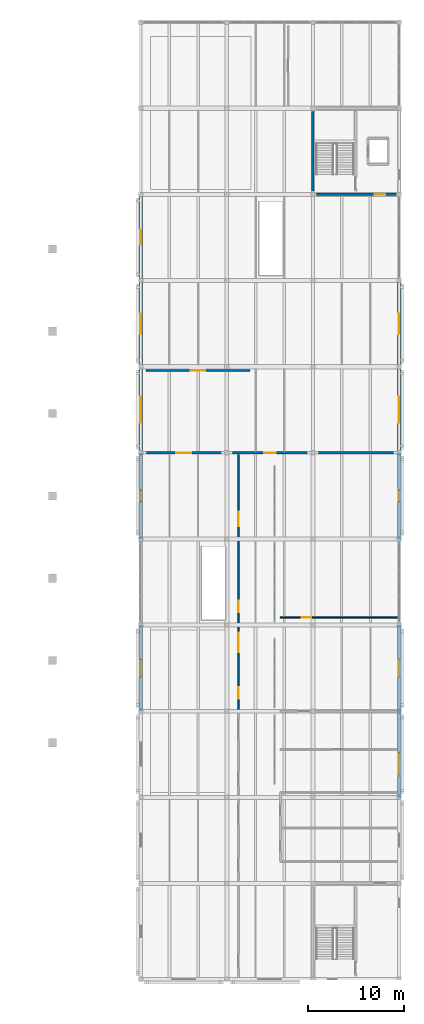
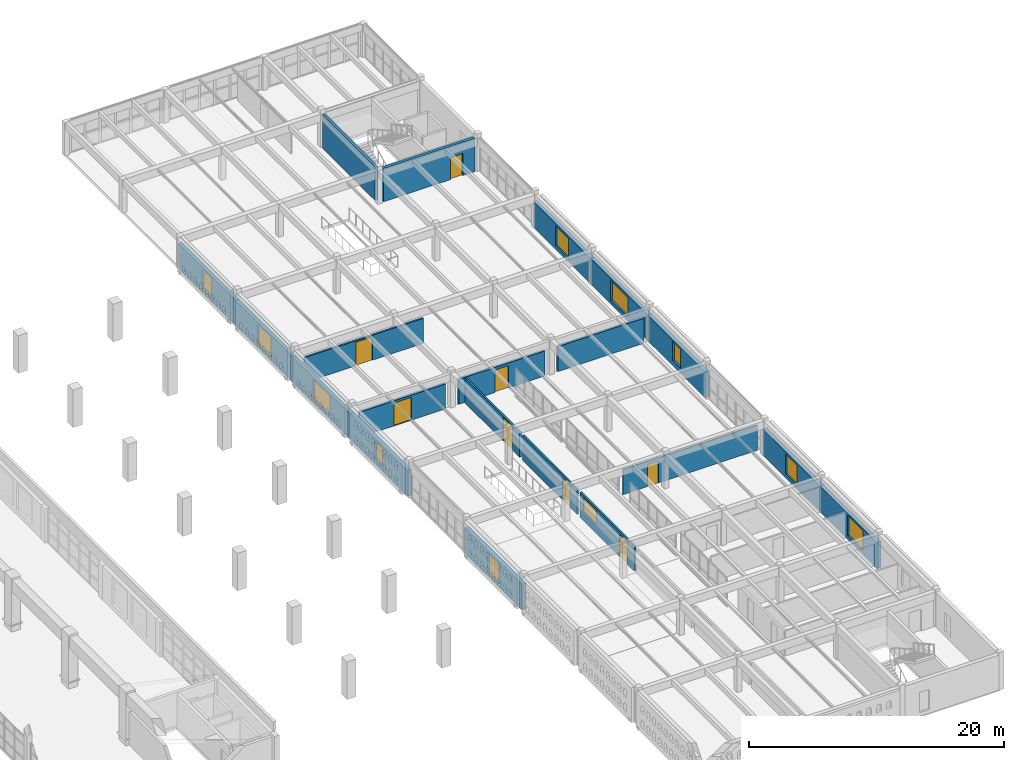
# One storey, part 69 of 80: 20 walls, 11 windows, 8 doors, 19 openings.
"""IFC4 building model written with IfcOpenShell, lengths in metres."""

from ifc_helpers import new_model, si_unit, direction, frame, frame_2d, origin, place, context, subcontext, project, spatial, rectangle, extrude, material, layer, layer_set, type_object, element, fill, save


model = new_model("IFC4")

# Units and contexts
model_context = context("Model", 3, precision=1e-05, world=origin(), true_north=direction((0.0, 1.0)))
body_context = subcontext(model_context, "Body", "Model", "MODEL_VIEW")
ifc_project = project(units=[si_unit("LENGTHUNIT", "METRE"), si_unit("AREAUNIT", "SQUARE_METRE"), si_unit("VOLUMEUNIT", "CUBIC_METRE"), si_unit("PLANEANGLEUNIT", "RADIAN"), si_unit("MASSUNIT", "GRAM", prefix="KILO")], contexts=[model_context])

# Site, building, storey
site_placement = place(None, origin())
site = spatial("IfcSite", under=ifc_project, at=site_placement, CompositionType="ELEMENT")
building_placement = place(site_placement, origin())
building = spatial("IfcBuilding", under=site, at=building_placement, Name="Ornek Quay Market", CompositionType="ELEMENT")
storey_placement = place(building_placement, frame((0.0, 0.0, 8.39990234375)))
storey = spatial("IfcBuildingStorey", under=building, at=storey_placement, Name="L02", CompositionType="ELEMENT", Elevation=8.39990234375)

# Wall
ifc_material_1 = material(Name="Concrete C40/50", Category="concrete")
ifc_layer_1 = layer(ifc_material_1, 0.260009765625, Name="Concrete C40/50", Category="concrete")
ifc_layer_set_1 = layer_set([ifc_layer_1], Name="Concrete C40/50")
wall_type_1 = type_object("IfcWallType", Name="WL-CORE-260", PredefinedType="SHEAR", material=ifc_layer_set_1)
wall_1_placement = place(storey_placement, frame((171.0, 92.35009765625, 0.0), z_axis=(0.0, 0.0, 1.0), x_axis=(0.0, 1.0, 0.0)))
element("IfcWall", 1, at=wall_1_placement, inside=storey, type_object=wall_type_1, Name="Interior wall W-CORE2-139", PredefinedType="SHEAR", context=body_context, shape_type="SweptSolid", body=[
    extrude(rectangle(XDim=8.2998046875, YDim=0.260009765625, at=frame_2d((4.14990234375, 0.0))), origin(), (0.0, 0.0, 1.0), 3.2001953125),
])

# Wall, opening, door
wall_2_placement = place(storey_placement, frame((171.35009765625, 92.0, 0.0), z_axis=(0.0, 0.0, 1.0), x_axis=(1.0, 0.0, 0.0)))
wall_2 = element("IfcWall", 2, at=wall_2_placement, inside=storey, type_object=wall_type_1, Name="Interior wall W-CORE2-140", PredefinedType="SHEAR", context=body_context, shape_type="SweptSolid", body=[
    extrude(rectangle(XDim=8.2998046875, YDim=0.260009765625, at=frame_2d((4.14990234375, 0.0))), origin(), (0.0, 0.0, 1.0), 3.2001953125),
])
opening_1_placement = place(wall_2_placement, frame((6.10009765625, 0.0, 0.0)))
opening_1 = element("IfcOpeningElement", 3, at=opening_1_placement, cuts=wall_2, Name="Opening FD-04-053", PredefinedType="OPENING", context=body_context, shape_type="SweptSolid", body=[
    extrude(rectangle(XDim=1.10009765625, YDim=2.10009765625, at=frame_2d((0.550048828125, 1.050048828125))), frame((0.0, 0.139892578125, 0.0), z_axis=(0.0, -1.0, 0.0), x_axis=(1.0, 0.0, 0.0)), (0.0, 0.0, 1.0), 0.280029296875),
])
ifc_material_2 = material(Name="Insulated fire-rated painted steel", Category="steel")
door_type_1 = type_object("IfcDoorType", Name="DR-FIRE-LOBBY-1100x2100", OperationType="NOTDEFINED", PredefinedType="DOOR", material=ifc_material_2)
door_1_placement = place(opening_1_placement, origin())
door_1 = element("IfcDoor", 4, at=door_1_placement, inside=storey, type_object=door_type_1, Name="Interior door FD-04-053", OperationType="SINGLE_SWING_RIGHT", OverallHeight=2.10009765625, OverallWidth=1.10009765625, PredefinedType="DOOR", context=body_context, shape_type="SweptSolid", body=[
    extrude(rectangle(XDim=1.10009765625, YDim=2.10009765625, at=frame_2d((0.550048828125, 1.050048828125))), frame((0.0, 0.02490234375, 0.0), z_axis=(0.0, -1.0, 0.0), x_axis=(1.0, 0.0, 0.0)), (0.0, 0.0, 1.0), 0.050048828125),
])
fill(opening_1, door_1)

# Wall, opening, window
ifc_material_3 = material(Name="Frost-resistant facing clay brick M200 F100", Category="masonry")
ifc_layer_2 = layer(ifc_material_3, 0.3701171875, Name="Frost-resistant facing clay brick M200 F100", Category="masonry")
ifc_layer_set_2 = layer_set([ifc_layer_2], Name="Frost-resistant facing clay brick M200 F100")
wall_type_2 = type_object("IfcWallType", Name="WL-EXT-CS-370", PredefinedType="STANDARD", material=ifc_layer_set_2)
wall_3_placement = place(storey_placement, frame((153.0, 38.0, 0.0), z_axis=(0.0, 0.0, 1.0), x_axis=(0.0, 1.0, 0.0)))
wall_3 = element("IfcWall", 5, at=wall_3_placement, inside=storey, type_object=wall_type_2, Name="Exterior wall EW-217", PredefinedType="STANDARD", context=body_context, shape_type="SweptSolid", body=[
    extrude(rectangle(XDim=9.0, YDim=0.3701171875, at=frame_2d((4.5, 0.0))), origin(), (0.0, 0.0, 1.0), 2.47998046875),
])
opening_2_placement = place(wall_3_placement, frame((3.60009765625, 0.0, 0.35009765625)))
opening_2 = element("IfcOpeningElement", 6, at=opening_2_placement, cuts=wall_3, Name="Opening W-09-180", PredefinedType="OPENING", context=body_context, shape_type="SweptSolid", body=[
    extrude(rectangle(XDim=1.800048828125, YDim=1.93994140625, at=frame_2d((0.89990234375, 0.969970703125))), frame((0.0, 0.195068359375, 0.0), z_axis=(0.0, -1.0, 0.0), x_axis=(1.0, 0.0, 0.0)), (0.0, 0.0, 1.0), 0.39013671875),
])
ifc_material_4 = material(Name="Thermally broken bronze aluminium and triple low-e glass", Category="aluminium")
window_type_1 = type_object("IfcWindowType", Name="WN-CS-1800x2000", PartitioningType="DOUBLE_PANEL_VERTICAL", PredefinedType="WINDOW", material=ifc_material_4)
window_1_placement = place(opening_2_placement, origin())
window_1 = element("IfcWindow", 7, at=window_1_placement, inside=storey, type_object=window_type_1, Name="Window W-09-180", OverallHeight=1.93994140625, OverallWidth=1.800048828125, PartitioningType="SINGLE_PANEL", PredefinedType="WINDOW", context=body_context, shape_type="SweptSolid", body=[
    extrude(rectangle(XDim=1.800048828125, YDim=1.93994140625, at=frame_2d((0.89990234375, 0.969970703125))), frame((0.0, 0.030029296875, 0.0), z_axis=(0.0, -1.0, 0.0), x_axis=(1.0, 0.0, 0.0)), (0.0, 0.0, 1.0), 0.06005859375),
])
fill(opening_2, window_1)

wall_4_placement = place(storey_placement, frame((153.0, 56.0, 0.0), z_axis=(0.0, 0.0, 1.0), x_axis=(0.0, 1.0, 0.0)))
wall_4 = element("IfcWall", 8, at=wall_4_placement, inside=storey, type_object=wall_type_2, Name="Exterior wall EW-218", PredefinedType="STANDARD", context=body_context, shape_type="SweptSolid", body=[
    extrude(rectangle(XDim=9.0, YDim=0.3701171875, at=frame_2d((4.5, 0.0))), origin(), (0.0, 0.0, 1.0), 2.47998046875),
])
opening_3_placement = place(wall_4_placement, frame((3.89990234375, 0.0, 0.489990234375)))
opening_3 = element("IfcOpeningElement", 9, at=opening_3_placement, cuts=wall_4, Name="Opening W-11-181", PredefinedType="OPENING", context=body_context, shape_type="SweptSolid", body=[
    extrude(rectangle(XDim=1.199951171875, YDim=1.800048828125, at=frame_2d((0.60009765625, 0.89990234375))), frame((0.0, 0.195068359375, 0.0), z_axis=(0.0, -1.0, 0.0), x_axis=(1.0, 0.0, 0.0)), (0.0, 0.0, 1.0), 0.39013671875),
])
window_type_2 = type_object("IfcWindowType", Name="WN-CS-1200x1800", PartitioningType="SINGLE_PANEL", PredefinedType="WINDOW", material=ifc_material_4)
window_2_placement = place(opening_3_placement, origin())
window_2 = element("IfcWindow", 10, at=window_2_placement, inside=storey, type_object=window_type_2, Name="Window W-11-181", OverallHeight=1.800048828125, OverallWidth=1.199951171875, PartitioningType="SINGLE_PANEL", PredefinedType="WINDOW", context=body_context, shape_type="SweptSolid", body=[
    extrude(rectangle(XDim=1.199951171875, YDim=1.800048828125, at=frame_2d((0.60009765625, 0.89990234375))), frame((0.0, 0.030029296875, 0.0), z_axis=(0.0, -1.0, 0.0), x_axis=(1.0, 0.0, 0.0)), (0.0, 0.0, 1.0), 0.06005859375),
])
fill(opening_3, window_2)

wall_5_placement = place(storey_placement, frame((180.0, 29.0, 0.0), z_axis=(0.0, 0.0, 1.0), x_axis=(0.0, 1.0, 0.0)))
wall_5 = element("IfcWall", 11, at=wall_5_placement, inside=storey, type_object=wall_type_2, Name="Exterior wall EW-221", PredefinedType="STANDARD", context=body_context, shape_type="SweptSolid", body=[
    extrude(rectangle(XDim=9.0, YDim=0.3701171875, at=frame_2d((4.5, 0.0))), origin(), (0.0, 0.0, 1.0), 2.47998046875),
])
opening_4_placement = place(wall_5_placement, frame((2.25, 0.0, 0.35009765625)))
opening_4 = element("IfcOpeningElement", 12, at=opening_4_placement, cuts=wall_5, Name="Opening W-08-184", PredefinedType="OPENING", context=body_context, shape_type="SweptSolid", body=[
    extrude(rectangle(XDim=2.39990234375, YDim=1.93994140625, at=frame_2d((1.199951171875, 0.969970703125))), frame((0.0, 0.195068359375, 0.0), z_axis=(0.0, -1.0, 0.0), x_axis=(1.0, 0.0, 0.0)), (0.0, 0.0, 1.0), 0.39013671875),
])
window_type_3 = type_object("IfcWindowType", Name="WN-CS-2400x2000", PartitioningType="DOUBLE_PANEL_VERTICAL", PredefinedType="WINDOW", material=ifc_material_4)
window_3_placement = place(opening_4_placement, origin())
window_3 = element("IfcWindow", 13, at=window_3_placement, inside=storey, type_object=window_type_3, Name="Window W-08-184", OverallHeight=1.93994140625, OverallWidth=2.39990234375, PartitioningType="SINGLE_PANEL", PredefinedType="WINDOW", context=body_context, shape_type="SweptSolid", body=[
    extrude(rectangle(XDim=2.39990234375, YDim=1.93994140625, at=frame_2d((1.199951171875, 0.969970703125))), frame((0.0, 0.030029296875, 0.0), z_axis=(0.0, -1.0, 0.0), x_axis=(1.0, 0.0, 0.0)), (0.0, 0.0, 1.0), 0.06005859375),
])
fill(opening_4, window_3)

wall_6_placement = place(storey_placement, frame((180.0, 38.0, 0.0), z_axis=(0.0, 0.0, 1.0), x_axis=(0.0, 1.0, 0.0)))
wall_6 = element("IfcWall", 14, at=wall_6_placement, inside=storey, type_object=wall_type_2, Name="Exterior wall EW-222", PredefinedType="STANDARD", context=body_context, shape_type="SweptSolid", body=[
    extrude(rectangle(XDim=9.0, YDim=0.3701171875, at=frame_2d((4.5, 0.0))), origin(), (0.0, 0.0, 1.0), 2.47998046875),
])
opening_5_placement = place(wall_6_placement, frame((3.60009765625, 0.0, 0.35009765625)))
opening_5 = element("IfcOpeningElement", 15, at=opening_5_placement, cuts=wall_6, Name="Opening W-09-185", PredefinedType="OPENING", context=body_context, shape_type="SweptSolid", body=[
    extrude(rectangle(XDim=1.800048828125, YDim=1.93994140625, at=frame_2d((0.89990234375, 0.969970703125))), frame((0.0, 0.195068359375, 0.0), z_axis=(0.0, -1.0, 0.0), x_axis=(1.0, 0.0, 0.0)), (0.0, 0.0, 1.0), 0.39013671875),
])
window_4_placement = place(opening_5_placement, origin())
window_4 = element("IfcWindow", 16, at=window_4_placement, inside=storey, type_object=window_type_1, Name="Window W-09-185", OverallHeight=1.93994140625, OverallWidth=1.800048828125, PartitioningType="SINGLE_PANEL", PredefinedType="WINDOW", context=body_context, shape_type="SweptSolid", body=[
    extrude(rectangle(XDim=1.800048828125, YDim=1.93994140625, at=frame_2d((0.89990234375, 0.969970703125))), frame((0.0, 0.030029296875, 0.0), z_axis=(0.0, -1.0, 0.0), x_axis=(1.0, 0.0, 0.0)), (0.0, 0.0, 1.0), 0.06005859375),
])
fill(opening_5, window_4)

wall_7_placement = place(storey_placement, frame((180.0, 56.0, 0.0), z_axis=(0.0, 0.0, 1.0), x_axis=(0.0, 1.0, 0.0)))
wall_7 = element("IfcWall", 17, at=wall_7_placement, inside=storey, type_object=wall_type_2, Name="Exterior wall EW-223", PredefinedType="STANDARD", context=body_context, shape_type="SweptSolid", body=[
    extrude(rectangle(XDim=9.0, YDim=0.3701171875, at=frame_2d((4.5, 0.0))), origin(), (0.0, 0.0, 1.0), 2.47998046875),
])
opening_6_placement = place(wall_7_placement, frame((3.89990234375, 0.0, 0.489990234375)))
opening_6 = element("IfcOpeningElement", 18, at=opening_6_placement, cuts=wall_7, Name="Opening W-11-186", PredefinedType="OPENING", context=body_context, shape_type="SweptSolid", body=[
    extrude(rectangle(XDim=1.199951171875, YDim=1.800048828125, at=frame_2d((0.60009765625, 0.89990234375))), frame((0.0, 0.195068359375, 0.0), z_axis=(0.0, -1.0, 0.0), x_axis=(1.0, 0.0, 0.0)), (0.0, 0.0, 1.0), 0.39013671875),
])
window_5_placement = place(opening_6_placement, origin())
window_5 = element("IfcWindow", 19, at=window_5_placement, inside=storey, type_object=window_type_2, Name="Window W-11-186", OverallHeight=1.800048828125, OverallWidth=1.199951171875, PartitioningType="SINGLE_PANEL", PredefinedType="WINDOW", context=body_context, shape_type="SweptSolid", body=[
    extrude(rectangle(XDim=1.199951171875, YDim=1.800048828125, at=frame_2d((0.60009765625, 0.89990234375))), frame((0.0, 0.030029296875, 0.0), z_axis=(0.0, -1.0, 0.0), x_axis=(1.0, 0.0, 0.0)), (0.0, 0.0, 1.0), 0.06005859375),
])
fill(opening_6, window_5)

ifc_layer_3 = layer(ifc_material_3, 0.360107421875, Name="Frost-resistant facing clay brick M200 F100", Category="masonry")
ifc_layer_set_3 = layer_set([ifc_layer_3], Name="Frost-resistant facing clay brick M200 F100")
wall_type_3 = type_object("IfcWallType", Name="WL-EXT-FC-360", PredefinedType="STANDARD", material=ifc_layer_set_3)
wall_8_placement = place(storey_placement, frame((153.0, 65.0, 0.0), z_axis=(0.0, 0.0, 1.0), x_axis=(0.0, 1.0, 0.0)))
wall_8 = element("IfcWall", 20, at=wall_8_placement, inside=storey, type_object=wall_type_3, Name="Exterior wall EW-164", PredefinedType="STANDARD", context=body_context, shape_type="SweptSolid", body=[
    extrude(rectangle(XDim=9.0, YDim=0.360107421875, at=frame_2d((4.5, 0.0))), origin(), (0.0, 0.0, 1.0), 2.43017578125),
])
opening_7_placement = place(wall_8_placement, frame((3.14990234375, 0.0, 0.35009765625)))
opening_7 = element("IfcOpeningElement", 21, at=opening_7_placement, cuts=wall_8, Name="Opening W-05-136", PredefinedType="OPENING", context=body_context, shape_type="SweptSolid", body=[
    extrude(rectangle(XDim=2.699951171875, YDim=1.89990234375, at=frame_2d((1.35009765625, 0.949951171875))), frame((0.0, 0.18994140625, 0.0), z_axis=(0.0, -1.0, 0.0), x_axis=(1.0, 0.0, 0.0)), (0.0, 0.0, 1.0), 0.380126953125),
])
window_type_4 = type_object("IfcWindowType", Name="WN-FC-2700x2400", PartitioningType="TRIPLE_PANEL_VERTICAL", PredefinedType="WINDOW", material=ifc_material_4)
window_6_placement = place(opening_7_placement, origin())
window_6 = element("IfcWindow", 22, at=window_6_placement, inside=storey, type_object=window_type_4, Name="Window W-05-136", OverallHeight=1.89990234375, OverallWidth=2.699951171875, PartitioningType="SINGLE_PANEL", PredefinedType="WINDOW", context=body_context, shape_type="SweptSolid", body=[
    extrude(rectangle(XDim=2.699951171875, YDim=1.89990234375, at=frame_2d((1.35009765625, 0.949951171875))), frame((0.0, 0.030029296875, 0.0), z_axis=(0.0, -1.0, 0.0), x_axis=(1.0, 0.0, 0.0)), (0.0, 0.0, 1.0), 0.06005859375),
])
fill(opening_7, window_6)

wall_9_placement = place(storey_placement, frame((153.0, 74.0, 0.0), z_axis=(0.0, 0.0, 1.0), x_axis=(0.0, 1.0, 0.0)))
wall_9 = element("IfcWall", 23, at=wall_9_placement, inside=storey, type_object=wall_type_3, Name="Exterior wall EW-165", PredefinedType="STANDARD", context=body_context, shape_type="SweptSolid", body=[
    extrude(rectangle(XDim=9.0, YDim=0.360107421875, at=frame_2d((4.5, 0.0))), origin(), (0.0, 0.0, 1.0), 2.43017578125),
])
opening_8_placement = place(wall_9_placement, frame((3.449951171875, 0.0, 0.35009765625)))
opening_8 = element("IfcOpeningElement", 24, at=opening_8_placement, cuts=wall_9, Name="Opening W-06-137", PredefinedType="OPENING", context=body_context, shape_type="SweptSolid", body=[
    extrude(rectangle(XDim=2.10009765625, YDim=1.89990234375, at=frame_2d((1.050048828125, 0.949951171875))), frame((0.0, 0.18994140625, 0.0), z_axis=(0.0, -1.0, 0.0), x_axis=(1.0, 0.0, 0.0)), (0.0, 0.0, 1.0), 0.380126953125),
])
window_type_5 = type_object("IfcWindowType", Name="WN-FC-2100x2200", PartitioningType="DOUBLE_PANEL_VERTICAL", PredefinedType="WINDOW", material=ifc_material_4)
window_7_placement = place(opening_8_placement, origin())
window_7 = element("IfcWindow", 25, at=window_7_placement, inside=storey, type_object=window_type_5, Name="Window W-06-137", OverallHeight=1.89990234375, OverallWidth=2.10009765625, PartitioningType="SINGLE_PANEL", PredefinedType="WINDOW", context=body_context, shape_type="SweptSolid", body=[
    extrude(rectangle(XDim=2.10009765625, YDim=1.89990234375, at=frame_2d((1.050048828125, 0.949951171875))), frame((0.0, 0.030029296875, 0.0), z_axis=(0.0, -1.0, 0.0), x_axis=(1.0, 0.0, 0.0)), (0.0, 0.0, 1.0), 0.06005859375),
])
fill(opening_8, window_7)

wall_10_placement = place(storey_placement, frame((153.0, 83.0, 0.0), z_axis=(0.0, 0.0, 1.0), x_axis=(0.0, 1.0, 0.0)))
wall_10 = element("IfcWall", 26, at=wall_10_placement, inside=storey, type_object=wall_type_3, Name="Exterior wall EW-166", PredefinedType="STANDARD", context=body_context, shape_type="SweptSolid", body=[
    extrude(rectangle(XDim=9.0, YDim=0.360107421875, at=frame_2d((4.5, 0.0))), origin(), (0.0, 0.0, 1.0), 2.43017578125),
])
opening_9_placement = place(wall_10_placement, frame((3.75, 0.0, 0.35009765625)))
opening_9 = element("IfcOpeningElement", 27, at=opening_9_placement, cuts=wall_10, Name="Opening W-07-138", PredefinedType="OPENING", context=body_context, shape_type="SweptSolid", body=[
    extrude(rectangle(XDim=1.5, YDim=1.89990234375, at=frame_2d((0.75, 0.949951171875))), frame((0.0, 0.18994140625, 0.0), z_axis=(0.0, -1.0, 0.0), x_axis=(1.0, 0.0, 0.0)), (0.0, 0.0, 1.0), 0.380126953125),
])
window_type_6 = type_object("IfcWindowType", Name="WN-FC-1500x2200", PartitioningType="SINGLE_PANEL", PredefinedType="WINDOW", material=ifc_material_4)
window_8_placement = place(opening_9_placement, origin())
window_8 = element("IfcWindow", 28, at=window_8_placement, inside=storey, type_object=window_type_6, Name="Window W-07-138", OverallHeight=1.89990234375, OverallWidth=1.5, PartitioningType="SINGLE_PANEL", PredefinedType="WINDOW", context=body_context, shape_type="SweptSolid", body=[
    extrude(rectangle(XDim=1.5, YDim=1.89990234375, at=frame_2d((0.75, 0.949951171875))), frame((0.0, 0.030029296875, 0.0), z_axis=(0.0, -1.0, 0.0), x_axis=(1.0, 0.0, 0.0)), (0.0, 0.0, 1.0), 0.06005859375),
])
fill(opening_9, window_8)

wall_11_placement = place(storey_placement, frame((180.0, 65.0, 0.0), z_axis=(0.0, 0.0, 1.0), x_axis=(0.0, 1.0, 0.0)))
wall_11 = element("IfcWall", 29, at=wall_11_placement, inside=storey, type_object=wall_type_3, Name="Exterior wall EW-167", PredefinedType="STANDARD", context=body_context, shape_type="SweptSolid", body=[
    extrude(rectangle(XDim=9.0, YDim=0.360107421875, at=frame_2d((4.5, 0.0))), origin(), (0.0, 0.0, 1.0), 2.43017578125),
])
opening_10_placement = place(wall_11_placement, frame((3.14990234375, 0.0, 0.35009765625)))
opening_10 = element("IfcOpeningElement", 30, at=opening_10_placement, cuts=wall_11, Name="Opening W-05-139", PredefinedType="OPENING", context=body_context, shape_type="SweptSolid", body=[
    extrude(rectangle(XDim=2.699951171875, YDim=1.89990234375, at=frame_2d((1.35009765625, 0.949951171875))), frame((0.0, 0.18994140625, 0.0), z_axis=(0.0, -1.0, 0.0), x_axis=(1.0, 0.0, 0.0)), (0.0, 0.0, 1.0), 0.380126953125),
])
window_9_placement = place(opening_10_placement, origin())
window_9 = element("IfcWindow", 31, at=window_9_placement, inside=storey, type_object=window_type_4, Name="Window W-05-139", OverallHeight=1.89990234375, OverallWidth=2.699951171875, PartitioningType="SINGLE_PANEL", PredefinedType="WINDOW", context=body_context, shape_type="SweptSolid", body=[
    extrude(rectangle(XDim=2.699951171875, YDim=1.89990234375, at=frame_2d((1.35009765625, 0.949951171875))), frame((0.0, 0.030029296875, 0.0), z_axis=(0.0, -1.0, 0.0), x_axis=(1.0, 0.0, 0.0)), (0.0, 0.0, 1.0), 0.06005859375),
])
fill(opening_10, window_9)

wall_12_placement = place(storey_placement, frame((180.0, 74.0, 0.0), z_axis=(0.0, 0.0, 1.0), x_axis=(0.0, 1.0, 0.0)))
wall_12 = element("IfcWall", 32, at=wall_12_placement, inside=storey, type_object=wall_type_3, Name="Exterior wall EW-168", PredefinedType="STANDARD", context=body_context, shape_type="SweptSolid", body=[
    extrude(rectangle(XDim=9.0, YDim=0.360107421875, at=frame_2d((4.5, 0.0))), origin(), (0.0, 0.0, 1.0), 2.43017578125),
])
opening_11_placement = place(wall_12_placement, frame((3.449951171875, 0.0, 0.35009765625)))
opening_11 = element("IfcOpeningElement", 33, at=opening_11_placement, cuts=wall_12, Name="Opening W-06-140", PredefinedType="OPENING", context=body_context, shape_type="SweptSolid", body=[
    extrude(rectangle(XDim=2.10009765625, YDim=1.89990234375, at=frame_2d((1.050048828125, 0.949951171875))), frame((0.0, 0.18994140625, 0.0), z_axis=(0.0, -1.0, 0.0), x_axis=(1.0, 0.0, 0.0)), (0.0, 0.0, 1.0), 0.380126953125),
])
window_10_placement = place(opening_11_placement, origin())
window_10 = element("IfcWindow", 34, at=window_10_placement, inside=storey, type_object=window_type_5, Name="Window W-06-140", OverallHeight=1.89990234375, OverallWidth=2.10009765625, PartitioningType="SINGLE_PANEL", PredefinedType="WINDOW", context=body_context, shape_type="SweptSolid", body=[
    extrude(rectangle(XDim=2.10009765625, YDim=1.89990234375, at=frame_2d((1.050048828125, 0.949951171875))), frame((0.0, 0.030029296875, 0.0), z_axis=(0.0, -1.0, 0.0), x_axis=(1.0, 0.0, 0.0)), (0.0, 0.0, 1.0), 0.06005859375),
])
fill(opening_11, window_10)

# Wall, opening, door
ifc_material_5 = material(Name="Concrete C35/45", Category="concrete")
ifc_layer_4 = layer(ifc_material_5, 0.239990234375, Name="Concrete C35/45", Category="concrete")
ifc_layer_set_4 = layer_set([ifc_layer_4], Name="Concrete C35/45")
wall_type_4 = type_object("IfcWallType", Name="WL-FIRE-240", PredefinedType="SOLIDWALL", material=ifc_layer_set_4)
wall_13_placement = place(storey_placement, frame((153.60009765625, 65.0, 0.0), z_axis=(0.0, 0.0, 1.0), x_axis=(1.0, 0.0, 0.0)))
wall_13 = element("IfcWall", 35, at=wall_13_placement, inside=storey, type_object=wall_type_4, Name="Interior wall W-FIRE2-327", PredefinedType="SOLIDWALL", context=body_context, shape_type="SweptSolid", body=[
    extrude(rectangle(XDim=7.7998046875, YDim=0.239990234375, at=frame_2d((3.89990234375, 0.0))), origin(), (0.0, 0.0, 1.0), 2.400146484375),
])
opening_12_placement = place(wall_13_placement, frame((3.10009765625, 0.0, 0.0)))
opening_12 = element("IfcOpeningElement", 36, at=opening_12_placement, cuts=wall_13, Name="Opening FD-02-155", PredefinedType="OPENING", context=body_context, shape_type="SweptSolid", body=[
    extrude(rectangle(XDim=1.60009765625, YDim=2.199951171875, at=frame_2d((0.800048828125, 1.10009765625))), frame((0.0, 0.1298828125, 0.0), z_axis=(0.0, -1.0, 0.0), x_axis=(1.0, 0.0, 0.0)), (0.0, 0.0, 1.0), 0.260009765625),
])
door_type_2 = type_object("IfcDoorType", Name="DR-FIRE-DBL-1600x2200", OperationType="DOUBLE_DOOR_SINGLE_SWING", PredefinedType="DOOR", material=ifc_material_2)
door_2_placement = place(opening_12_placement, origin())
door_2 = element("IfcDoor", 37, at=door_2_placement, inside=storey, type_object=door_type_2, Name="Interior door FD-02-155", OperationType="DOUBLE_DOOR_SINGLE_SWING", OverallHeight=2.199951171875, OverallWidth=1.60009765625, PredefinedType="DOOR", context=body_context, shape_type="SweptSolid", body=[
    extrude(rectangle(XDim=1.60009765625, YDim=2.199951171875, at=frame_2d((0.800048828125, 1.10009765625))), frame((0.0, 0.02490234375, 0.0), z_axis=(0.0, -1.0, 0.0), x_axis=(1.0, 0.0, 0.0)), (0.0, 0.0, 1.0), 0.050048828125),
])
fill(opening_12, door_2)

wall_14_placement = place(storey_placement, frame((162.60009765625, 65.0, 0.0), z_axis=(0.0, 0.0, 1.0), x_axis=(1.0, 0.0, 0.0)))
wall_14 = element("IfcWall", 38, at=wall_14_placement, inside=storey, type_object=wall_type_4, Name="Interior wall W-FIRE2-328", PredefinedType="SOLIDWALL", context=body_context, shape_type="SweptSolid", body=[
    extrude(rectangle(XDim=7.7998046875, YDim=0.239990234375, at=frame_2d((3.89990234375, 0.0))), origin(), (0.0, 0.0, 1.0), 2.400146484375),
])
opening_13_placement = place(wall_14_placement, frame((3.300048828125, 0.0, 0.0)))
opening_13 = element("IfcOpeningElement", 39, at=opening_13_placement, cuts=wall_14, Name="Opening ID-02-156", PredefinedType="OPENING", context=body_context, shape_type="SweptSolid", body=[
    extrude(rectangle(XDim=1.199951171875, YDim=2.14990234375, at=frame_2d((0.60009765625, 1.074951171875))), frame((0.0, 0.1298828125, 0.0), z_axis=(0.0, -1.0, 0.0), x_axis=(1.0, 0.0, 0.0)), (0.0, 0.0, 1.0), 0.260009765625),
])
ifc_material_6 = material(Name="Acoustic solid oak door", Category="other")
door_type_3 = type_object("IfcDoorType", Name="DR-INT-STUDIO-1200x2150", OperationType="NOTDEFINED", PredefinedType="DOOR", material=ifc_material_6)
door_3_placement = place(opening_13_placement, origin())
door_3 = element("IfcDoor", 40, at=door_3_placement, inside=storey, type_object=door_type_3, Name="Interior door ID-02-156", OperationType="SINGLE_SWING_LEFT", OverallHeight=2.14990234375, OverallWidth=1.199951171875, PredefinedType="DOOR", context=body_context, shape_type="SweptSolid", body=[
    extrude(rectangle(XDim=1.199951171875, YDim=2.14990234375, at=frame_2d((0.60009765625, 1.074951171875))), frame((0.0, 0.02490234375, 0.0), z_axis=(0.0, -1.0, 0.0), x_axis=(1.0, 0.0, 0.0)), (0.0, 0.0, 1.0), 0.050048828125),
])
fill(opening_13, door_3)

# Wall
wall_15_placement = place(storey_placement, frame((171.60009765625, 65.0, 0.0), z_axis=(0.0, 0.0, 1.0), x_axis=(1.0, 0.0, 0.0)))
element("IfcWall", 41, at=wall_15_placement, inside=storey, type_object=wall_type_4, Name="Interior wall W-FIRE2-329", PredefinedType="SOLIDWALL", context=body_context, shape_type="SweptSolid", body=[
    extrude(rectangle(XDim=7.7998046875, YDim=0.239990234375, at=frame_2d((3.89990234375, 0.0))), origin(), (0.0, 0.0, 1.0), 2.400146484375),
])

# Wall, openings, door, window
ifc_material_7 = material(Name="Ceramic-tiled masonry partition", Category="masonry")
ifc_layer_5 = layer(ifc_material_7, 0.159912109375, Name="Ceramic-tiled masonry partition", Category="masonry")
ifc_layer_set_5 = layer_set([ifc_layer_5], Name="Ceramic-tiled masonry partition")
wall_type_5 = type_object("IfcWallType", Name="WL-KIT-160", PredefinedType="PARTITIONING", material=ifc_layer_set_5)
wall_16_placement = place(storey_placement, frame((163.199951171875, 38.219970703125, 0.0), z_axis=(0.0, 0.0, 1.0), x_axis=(0.0, 1.0, 0.0)))
wall_16 = element("IfcWall", 42, at=wall_16_placement, inside=storey, type_object=wall_type_5, Name="Interior wall W-INT2-333", PredefinedType="PARTITIONING", context=body_context, shape_type="SweptSolid", body=[
    extrude(rectangle(XDim=8.56005859375, YDim=0.159912109375, at=frame_2d((4.280029296875, 0.0))), origin(), (0.0, 0.0, 1.0), 2.400146484375),
])
opening_14_placement = place(wall_16_placement, frame((1.10009765625, 0.0, 0.0)))
opening_14 = element("IfcOpeningElement", 43, at=opening_14_placement, cuts=wall_16, Name="Opening ID-02-160", PredefinedType="OPENING", context=body_context, shape_type="SweptSolid", body=[
    extrude(rectangle(XDim=1.199951171875, YDim=2.14990234375, at=frame_2d((0.60009765625, 1.074951171875))), frame((0.0, 0.08984375, 0.0), z_axis=(0.0, -1.0, 0.0), x_axis=(1.0, 0.0, 0.0)), (0.0, 0.0, 1.0), 0.179931640625),
])
opening_15_placement = place(wall_16_placement, frame((5.9599609375, 0.0, 0.8701171875)))
opening_15 = element("IfcOpeningElement", 44, at=opening_15_placement, cuts=wall_16, Name="Opening W-19-L02-38", PredefinedType="OPENING", context=body_context, shape_type="SweptSolid", body=[
    extrude(rectangle(XDim=2.0, YDim=1.35009765625, at=frame_2d((1.0, 0.675048828125))), frame((0.0, 0.08984375, 0.0), z_axis=(0.0, -1.0, 0.0), x_axis=(1.0, 0.0, 0.0)), (0.0, 0.0, 1.0), 0.179931640625),
])
door_4_placement = place(opening_14_placement, origin())
door_4 = element("IfcDoor", 45, at=door_4_placement, inside=storey, type_object=door_type_3, Name="Interior door ID-02-160", OperationType="SINGLE_SWING_LEFT", OverallHeight=2.14990234375, OverallWidth=1.199951171875, PredefinedType="DOOR", context=body_context, shape_type="SweptSolid", body=[
    extrude(rectangle(XDim=1.199951171875, YDim=2.14990234375, at=frame_2d((0.60009765625, 1.074951171875))), frame((0.0, 0.02490234375, 0.0), z_axis=(0.0, -1.0, 0.0), x_axis=(1.0, 0.0, 0.0)), (0.0, 0.0, 1.0), 0.050048828125),
])
fill(opening_14, door_4)
window_type_7 = type_object("IfcWindowType", Name="WN-INT-2000x1500", PartitioningType="DOUBLE_PANEL_VERTICAL", PredefinedType="WINDOW", material=ifc_material_4)
window_11_placement = place(opening_15_placement, origin())
window_11 = element("IfcWindow", 46, at=window_11_placement, inside=storey, type_object=window_type_7, Name="Teaching kitchen observation window L02-38", OverallHeight=1.35009765625, OverallWidth=2.0, PartitioningType="SINGLE_PANEL", PredefinedType="WINDOW", context=body_context, shape_type="SweptSolid", body=[
    extrude(rectangle(XDim=2.0, YDim=1.35009765625, at=frame_2d((1.0, 0.675048828125))), frame((0.0, 0.030029296875, 0.0), z_axis=(0.0, -1.0, 0.0), x_axis=(1.0, 0.0, 0.0)), (0.0, 0.0, 1.0), 0.06005859375),
])
fill(opening_15, window_11)

# Wall, opening, door
wall_17_placement = place(storey_placement, frame((163.199951171875, 47.219970703125, 0.0), z_axis=(0.0, 0.0, 1.0), x_axis=(0.0, 1.0, 0.0)))
wall_17 = element("IfcWall", 47, at=wall_17_placement, inside=storey, type_object=wall_type_5, Name="Interior wall W-INT2-334", PredefinedType="PARTITIONING", context=body_context, shape_type="SweptSolid", body=[
    extrude(rectangle(XDim=8.56005859375, YDim=0.159912109375, at=frame_2d((4.280029296875, 0.0))), origin(), (0.0, 0.0, 1.0), 2.400146484375),
])
opening_16_placement = place(wall_17_placement, frame((1.10009765625, 0.0, 0.0)))
opening_16 = element("IfcOpeningElement", 48, at=opening_16_placement, cuts=wall_17, Name="Opening ID-02-161", PredefinedType="OPENING", context=body_context, shape_type="SweptSolid", body=[
    extrude(rectangle(XDim=1.199951171875, YDim=2.14990234375, at=frame_2d((0.60009765625, 1.074951171875))), frame((0.0, 0.08984375, 0.0), z_axis=(0.0, -1.0, 0.0), x_axis=(1.0, 0.0, 0.0)), (0.0, 0.0, 1.0), 0.179931640625),
])
door_5_placement = place(opening_16_placement, origin())
door_5 = element("IfcDoor", 49, at=door_5_placement, inside=storey, type_object=door_type_3, Name="Interior door ID-02-161", OperationType="SINGLE_SWING_RIGHT", OverallHeight=2.14990234375, OverallWidth=1.199951171875, PredefinedType="DOOR", context=body_context, shape_type="SweptSolid", body=[
    extrude(rectangle(XDim=1.199951171875, YDim=2.14990234375, at=frame_2d((0.60009765625, 1.074951171875))), frame((0.0, 0.02490234375, 0.0), z_axis=(0.0, -1.0, 0.0), x_axis=(1.0, 0.0, 0.0)), (0.0, 0.0, 1.0), 0.050048828125),
])
fill(opening_16, door_5)

wall_18_placement = place(storey_placement, frame((163.199951171875, 56.219970703125, 0.0), z_axis=(0.0, 0.0, 1.0), x_axis=(0.0, 1.0, 0.0)))
wall_18 = element("IfcWall", 50, at=wall_18_placement, inside=storey, type_object=wall_type_5, Name="Interior wall W-INT2-335", PredefinedType="PARTITIONING", context=body_context, shape_type="SweptSolid", body=[
    extrude(rectangle(XDim=8.56005859375, YDim=0.159912109375, at=frame_2d((4.280029296875, 0.0))), origin(), (0.0, 0.0, 1.0), 2.400146484375),
])
opening_17_placement = place(wall_18_placement, frame((1.10009765625, 0.0, 0.0)))
opening_17 = element("IfcOpeningElement", 51, at=opening_17_placement, cuts=wall_18, Name="Opening ID-01-162", PredefinedType="OPENING", context=body_context, shape_type="SweptSolid", body=[
    extrude(rectangle(XDim=1.5, YDim=2.25, at=frame_2d((0.75, 1.125))), frame((0.0, 0.08984375, 0.0), z_axis=(0.0, -1.0, 0.0), x_axis=(1.0, 0.0, 0.0)), (0.0, 0.0, 1.0), 0.179931640625),
])
ifc_material_8 = material(Name="Solid oak and laminated glass door", Category="glass")
door_type_4 = type_object("IfcDoorType", Name="DR-INT-SHOP-1500x2250", OperationType="DOUBLE_DOOR_SINGLE_SWING", PredefinedType="DOOR", material=ifc_material_8)
door_6_placement = place(opening_17_placement, origin())
door_6 = element("IfcDoor", 52, at=door_6_placement, inside=storey, type_object=door_type_4, Name="Interior door ID-01-162", OperationType="DOUBLE_DOOR_SINGLE_SWING", OverallHeight=2.25, OverallWidth=1.5, PredefinedType="DOOR", context=body_context, shape_type="SweptSolid", body=[
    extrude(rectangle(XDim=1.5, YDim=2.25, at=frame_2d((0.75, 1.125))), frame((0.0, 0.02490234375, 0.0), z_axis=(0.0, -1.0, 0.0), x_axis=(1.0, 0.0, 0.0)), (0.0, 0.0, 1.0), 0.050048828125),
])
fill(opening_17, door_6)

wall_19_placement = place(storey_placement, frame((153.60009765625, 73.60009765625, 0.0), z_axis=(0.0, 0.0, 1.0), x_axis=(1.0, 0.0, 0.0)))
wall_19 = element("IfcWall", 53, at=wall_19_placement, inside=storey, type_object=wall_type_5, Name="Interior wall W-INT2-341", PredefinedType="PARTITIONING", context=body_context, shape_type="SweptSolid", body=[
    extrude(rectangle(XDim=10.7998046875, YDim=0.159912109375, at=frame_2d((5.39990234375, 0.0))), origin(), (0.0, 0.0, 1.0), 2.400146484375),
])
opening_18_placement = place(wall_19_placement, frame((4.64990234375, 0.0, 0.0)))
opening_18 = element("IfcOpeningElement", 54, at=opening_18_placement, cuts=wall_19, Name="Opening ID-01-165", PredefinedType="OPENING", context=body_context, shape_type="SweptSolid", body=[
    extrude(rectangle(XDim=1.5, YDim=2.25, at=frame_2d((0.75, 1.125))), frame((0.0, 0.08984375, 0.0), z_axis=(0.0, -1.0, 0.0), x_axis=(1.0, 0.0, 0.0)), (0.0, 0.0, 1.0), 0.179931640625),
])
door_7_placement = place(opening_18_placement, origin())
door_7 = element("IfcDoor", 55, at=door_7_placement, inside=storey, type_object=door_type_4, Name="Interior door ID-01-165", OperationType="DOUBLE_DOOR_SINGLE_SWING", OverallHeight=2.25, OverallWidth=1.5, PredefinedType="DOOR", context=body_context, shape_type="SweptSolid", body=[
    extrude(rectangle(XDim=1.5, YDim=2.25, at=frame_2d((0.75, 1.125))), frame((0.0, 0.02490234375, 0.0), z_axis=(0.0, -1.0, 0.0), x_axis=(1.0, 0.0, 0.0)), (0.0, 0.0, 1.0), 0.050048828125),
])
fill(opening_18, door_7)

ifc_material_9 = material(Name="Acoustic stud partition", Category="other")
ifc_layer_6 = layer(ifc_material_9, 0.125, Name="Acoustic stud partition", Category="other")
ifc_layer_set_6 = layer_set([ifc_layer_6], Name="Acoustic stud partition")
wall_type_6 = type_object("IfcWallType", Name="WL-OFF-125", PredefinedType="PARTITIONING", material=ifc_layer_set_6)
wall_20_placement = place(storey_placement, frame((167.60009765625, 47.800048828125, 0.0), z_axis=(0.0, 0.0, 1.0), x_axis=(1.0, 0.0, 0.0)))
wall_20 = element("IfcWall", 56, at=wall_20_placement, inside=storey, type_object=wall_type_6, Name="Interior wall W-INT5-340", PredefinedType="PARTITIONING", context=body_context, shape_type="SweptSolid", body=[
    extrude(rectangle(XDim=12.199951171875, YDim=0.125, at=frame_2d((6.10009765625, 0.0))), origin(), (0.0, 0.0, 1.0), 2.400146484375),
])
opening_19_placement = place(wall_20_placement, frame((2.199951171875, 0.0, 0.0)))
opening_19 = element("IfcOpeningElement", 57, at=opening_19_placement, cuts=wall_20, Name="Opening ID-03-164", PredefinedType="OPENING", context=body_context, shape_type="SweptSolid", body=[
    extrude(rectangle(XDim=1.0, YDim=2.10009765625, at=frame_2d((0.5, 1.050048828125))), frame((0.0, 0.072509765625, 0.0), z_axis=(0.0, -1.0, 0.0), x_axis=(1.0, 0.0, 0.0)), (0.0, 0.0, 1.0), 0.14501953125),
])
ifc_material_10 = material(Name="Solid oak door", Category="other")
door_type_5 = type_object("IfcDoorType", Name="DR-INT-ROOM-1000x2100", OperationType="NOTDEFINED", PredefinedType="DOOR", material=ifc_material_10)
door_8_placement = place(opening_19_placement, origin())
door_8 = element("IfcDoor", 58, at=door_8_placement, inside=storey, type_object=door_type_5, Name="Interior door ID-03-164", OperationType="SINGLE_SWING_LEFT", OverallHeight=2.10009765625, OverallWidth=1.0, PredefinedType="DOOR", context=body_context, shape_type="SweptSolid", body=[
    extrude(rectangle(XDim=1.0, YDim=2.10009765625, at=frame_2d((0.5, 1.050048828125))), frame((0.0, 0.02490234375, 0.0), z_axis=(0.0, -1.0, 0.0), x_axis=(1.0, 0.0, 0.0)), (0.0, 0.0, 1.0), 0.050048828125),
])
fill(opening_19, door_8)

save(model, "model.ifc")
